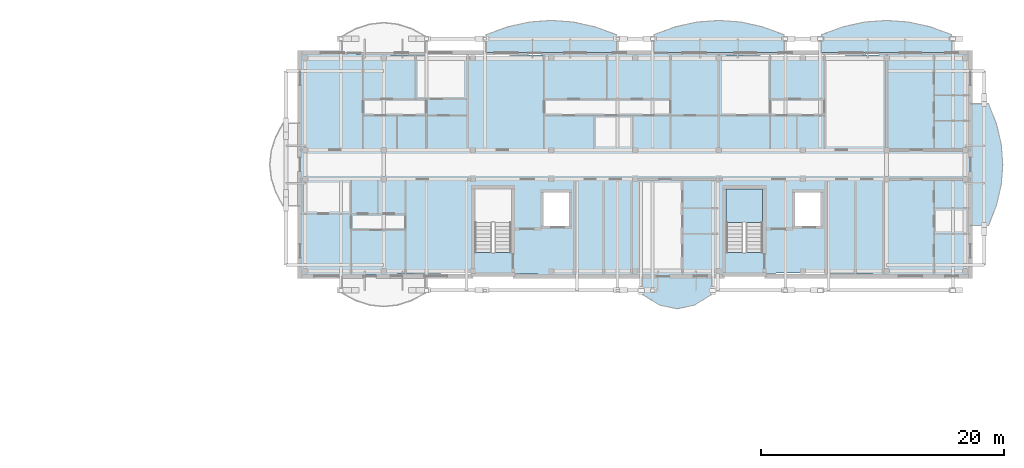
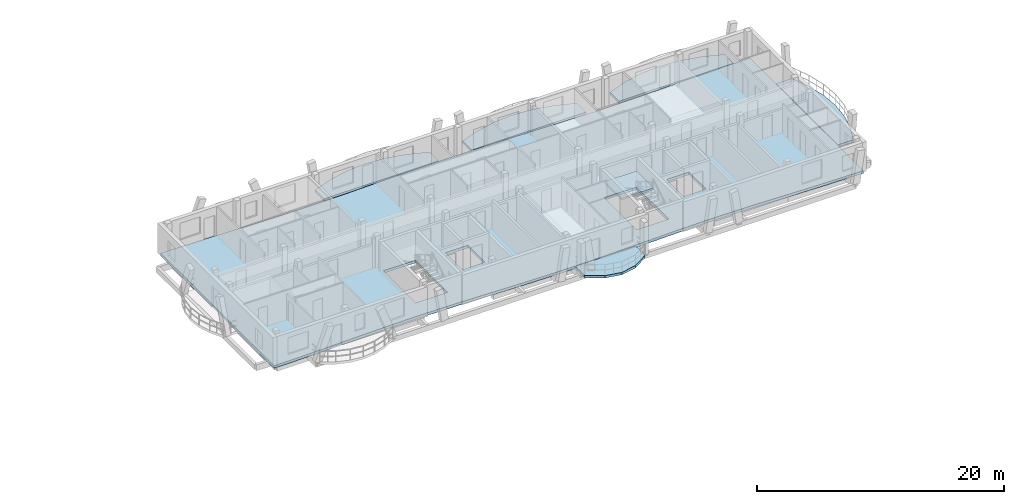
# One storey, part 10 of 52: 7 slabs, 1 element without a shape of its own.
"""IFC4 building model written with IfcOpenShell, lengths in metres."""

from ifc_helpers import new_model, si_unit, direction, frame, origin, place, context, subcontext, project, spatial, polyline, outline, extrude, material, layer, layer_set, type_object, element, aggregate, save


model = new_model("IFC4")

# Units and contexts
model_context = context("Model", 3, precision=1e-05, world=origin(), true_north=direction((0.0, 1.0)))
body_context = subcontext(model_context, "Body", "Model", "MODEL_VIEW")
ifc_project = project(units=[si_unit("LENGTHUNIT", "METRE"), si_unit("AREAUNIT", "SQUARE_METRE"), si_unit("VOLUMEUNIT", "CUBIC_METRE"), si_unit("PLANEANGLEUNIT", "RADIAN"), si_unit("MASSUNIT", "GRAM", prefix="KILO")], contexts=[model_context])

# Site, building, storey
site_placement = place(None, origin())
site = spatial("IfcSite", under=ifc_project, at=site_placement, CompositionType="ELEMENT")
building_placement = place(site_placement, origin())
building = spatial("IfcBuilding", under=site, at=building_placement, Name="Zavelmont Quarter", CompositionType="ELEMENT")
storey_placement = place(building_placement, frame((0.0, 0.0, 14.39990234375)))
storey = spatial("IfcBuildingStorey", under=building, at=storey_placement, Name="L04", CompositionType="ELEMENT", Elevation=14.39990234375)

# Slabs
ifc_material_1 = material(Name="White architectural precast concrete C40/50", Category="concrete")
ifc_layer_1 = layer(ifc_material_1, 0.235107421875)
ifc_layer_set_1 = layer_set([ifc_layer_1], Name="White architectural precast concrete C40/50")
slab_type_1 = type_object("IfcSlabType", Name="SL-BL180", PredefinedType="FLOOR", material=ifc_layer_set_1)
slab_1_placement = place(storey_placement, frame((0.0, 0.0, -0.23486328125)))
element("IfcSlab", 1, at=slab_1_placement, inside=storey, type_object=slab_type_1, Name="L04 Block C street vase 4 balcony SL-BL180", PredefinedType="FLOOR", context=body_context, shape_type="SweptSolid", body=[
    extrude(outline(polyline([(166.4609375, 116.02001953125), (166.4609375, 117.49462890625), (164.674072265625, 118.14697265625), (162.886962890625, 118.53857421875), (161.10009765625, 118.6689453125), (159.31298828125, 118.53857421875), (157.52587890625, 118.14697265625), (155.739013671875, 117.49462890625), (155.739013671875, 116.02001953125), (166.4609375, 116.02001953125)])), origin(), (0.0, 0.0, 1.0), 0.23486328125),
])
slab_2_placement = place(storey_placement, frame((0.0, 0.0, -0.23486328125)))
element("IfcSlab", 2, at=slab_2_placement, inside=storey, type_object=slab_type_1, Name="L04 Block C courtyard central vase balcony SL-BL180", PredefinedType="FLOOR", context=body_context, shape_type="SweptSolid", body=[
    extrude(outline(polyline([(141.0, 97.580078125), (141.0, 96.10546875), (142.425048828125, 95.224609375), (143.85009765625, 94.930908203125), (145.27490234375, 95.224609375), (146.699951171875, 96.10546875), (146.699951171875, 97.580078125), (141.0, 97.580078125)])), origin(), (0.0, 0.0, 1.0), 0.23486328125),
])
ifc_layer_2 = layer(ifc_material_1, 0.2451171875)
ifc_layer_set_2 = layer_set([ifc_layer_2], Name="White architectural precast concrete C40/50")
slab_type_2 = type_object("IfcSlabType", Name="SL-BL200", PredefinedType="FLOOR", material=ifc_layer_set_2)
slab_3_placement = place(storey_placement, frame((0.0, 0.0, -0.244873046875)))
element("IfcSlab", 3, at=slab_3_placement, inside=storey, type_object=slab_type_2, Name="L04 Block C street vase 3 balcony SL-BL200", PredefinedType="FLOOR", context=body_context, shape_type="SweptSolid", body=[
    extrude(outline(polyline([(152.660888671875, 116.02001953125), (152.660888671875, 117.49462890625), (150.8740234375, 118.14697265625), (149.0869140625, 118.53857421875), (147.300048828125, 118.6689453125), (145.512939453125, 118.53857421875), (143.72607421875, 118.14697265625), (141.93896484375, 117.49462890625), (141.93896484375, 116.02001953125), (152.660888671875, 116.02001953125)])), origin(), (0.0, 0.0, 1.0), 0.244873046875),
])
ifc_layer_3 = layer(ifc_material_1, 0.2548828125)
ifc_layer_set_3 = layer_set([ifc_layer_3], Name="White architectural precast concrete C40/50")
slab_type_3 = type_object("IfcSlabType", Name="SL-BL220", PredefinedType="FLOOR", material=ifc_layer_set_3)
slab_4_placement = place(storey_placement, frame((0.0, 0.0, -0.2548828125)))
element("IfcSlab", 4, at=slab_4_placement, inside=storey, type_object=slab_type_3, Name="L04 Block C street vase 2 balcony SL-BL220", PredefinedType="FLOOR", context=body_context, shape_type="SweptSolid", body=[
    extrude(outline(polyline([(138.861083984375, 116.02001953125), (138.861083984375, 117.49462890625), (137.073974609375, 118.14697265625), (135.287109375, 118.53857421875), (133.5, 118.6689453125), (131.712890625, 118.53857421875), (129.926025390625, 118.14697265625), (128.138916015625, 117.49462890625), (128.138916015625, 116.02001953125), (138.861083984375, 116.02001953125)])), origin(), (0.0, 0.0, 1.0), 0.2548828125),
])
slab_5_placement = place(storey_placement, frame((0.0, 0.0, -0.2548828125)))
element("IfcSlab", 5, at=slab_5_placement, inside=storey, type_object=slab_type_3, Name="L04 Block C boulevard vase balcony SL-BL220", PredefinedType="FLOOR", context=body_context, shape_type="SweptSolid", body=[
    extrude(outline(polyline([(168.02001953125, 101.7890625), (169.49462890625, 101.7890625), (170.14697265625, 103.459228515625), (170.53857421875, 105.129638671875), (170.6689453125, 106.800048828125), (170.53857421875, 108.47021484375), (170.14697265625, 110.140625), (169.49462890625, 111.81103515625), (168.02001953125, 111.81103515625), (168.02001953125, 101.7890625)])), origin(), (0.0, 0.0, 1.0), 0.2548828125),
])
ifc_material_2 = material(Name="Concrete C35/45", Category="concrete")
ifc_layer_4 = layer(ifc_material_2, 0.260009765625)
ifc_layer_set_4 = layer_set([ifc_layer_4], Name="Concrete C35/45")
slab_type_4 = type_object("IfcSlabType", Name="SL-FL260", PredefinedType="FLOOR", material=ifc_layer_set_4)
slab_6_placement = place(storey_placement, frame((0.0, 0.0, -0.260009765625)))
element("IfcSlab", 6, at=slab_6_placement, inside=storey, type_object=slab_type_4, Name="L04 Block C floor slab SL-FL260", PredefinedType="FLOOR", context=body_context, shape_type="SweptSolid", body=[
    extrude(outline(polyline([(112.800048828125, 97.60009765625), (116.25, 97.64111328125), (119.699951171875, 97.739990234375), (123.14990234375, 97.839111328125), (126.60009765625, 97.8798828125), (130.050048828125, 97.839111328125), (133.5, 97.739990234375), (136.949951171875, 97.64111328125), (140.39990234375, 97.60009765625), (143.85009765625, 97.64111328125), (147.300048828125, 97.739990234375), (150.75, 97.839111328125), (154.199951171875, 97.8798828125), (157.64990234375, 97.839111328125), (161.10009765625, 97.739990234375), (164.550048828125, 97.64111328125), (168.0, 97.60009765625), (168.0, 101.280029296875), (168.0, 104.9599609375), (168.0, 108.639892578125), (168.0, 112.320068359375), (168.0, 116.0), (164.550048828125, 115.958984375), (161.10009765625, 115.860107421875), (157.64990234375, 115.760986328125), (154.199951171875, 115.719970703125), (150.75, 115.760986328125), (147.300048828125, 115.860107421875), (143.85009765625, 115.958984375), (140.39990234375, 116.0), (136.949951171875, 115.958984375), (133.5, 115.860107421875), (130.050048828125, 115.760986328125), (126.60009765625, 115.719970703125), (123.14990234375, 115.760986328125), (119.699951171875, 115.860107421875), (116.25, 115.958984375), (112.800048828125, 116.0), (112.800048828125, 112.320068359375), (112.800048828125, 108.639892578125), (112.800048828125, 104.9599609375), (112.800048828125, 101.280029296875), (112.800048828125, 97.60009765625)]), holes=[polyline([(130.199951171875, 99.574951171875), (130.199951171875, 104.800048828125), (127.199951171875, 104.800048828125), (127.199951171875, 99.574951171875), (130.199951171875, 99.574951171875)]), polyline([(132.85009765625, 101.75), (134.949951171875, 101.75), (134.949951171875, 104.5), (132.85009765625, 104.5), (132.85009765625, 101.75)]), polyline([(150.89990234375, 99.574951171875), (150.89990234375, 104.800048828125), (147.89990234375, 104.800048828125), (147.89990234375, 99.574951171875), (150.89990234375, 99.574951171875)]), polyline([(153.550048828125, 101.75), (155.64990234375, 101.75), (155.64990234375, 104.5), (153.550048828125, 104.5), (153.550048828125, 101.75)])]), origin(), (0.0, 0.0, 1.0), 0.260009765625),
])

# Stair, slab
stair_type = type_object("IfcStairType", Name="STR-1400-1778", PredefinedType="HALF_TURN_STAIR", material=ifc_material_2)
stair_placement = place(storey_placement, origin())
stair = element("IfcStair", 7, at=stair_placement, inside=storey, type_object=stair_type, Name="L04 protected stair ST06", PredefinedType="HALF_TURN_STAIR")
ifc_layer_5 = layer(ifc_material_2, 0.199951171875)
ifc_layer_set_5 = layer_set([ifc_layer_5], Name="Concrete C35/45")
slab_type_5 = type_object("IfcSlabType", Name="SL-LND200", PredefinedType="LANDING", material=ifc_layer_set_5)
slab_7_placement = place(storey_placement, frame((0.0, 0.0, 1.400146484375)))
slab_7 = element("IfcSlab", 8, at=slab_7_placement, type_object=slab_type_5, Name="ST06 landing 1", PredefinedType="LANDING", context=body_context, shape_type="SweptSolid", body=[
    extrude(outline(polyline([(150.89990234375, 102.030029296875), (150.89990234375, 104.800048828125), (147.89990234375, 104.800048828125), (147.89990234375, 102.030029296875), (150.89990234375, 102.030029296875)])), origin(), (0.0, 0.0, 1.0), 0.199951171875),
])
aggregate(stair, [slab_7])

save(model, "model.ifc")
